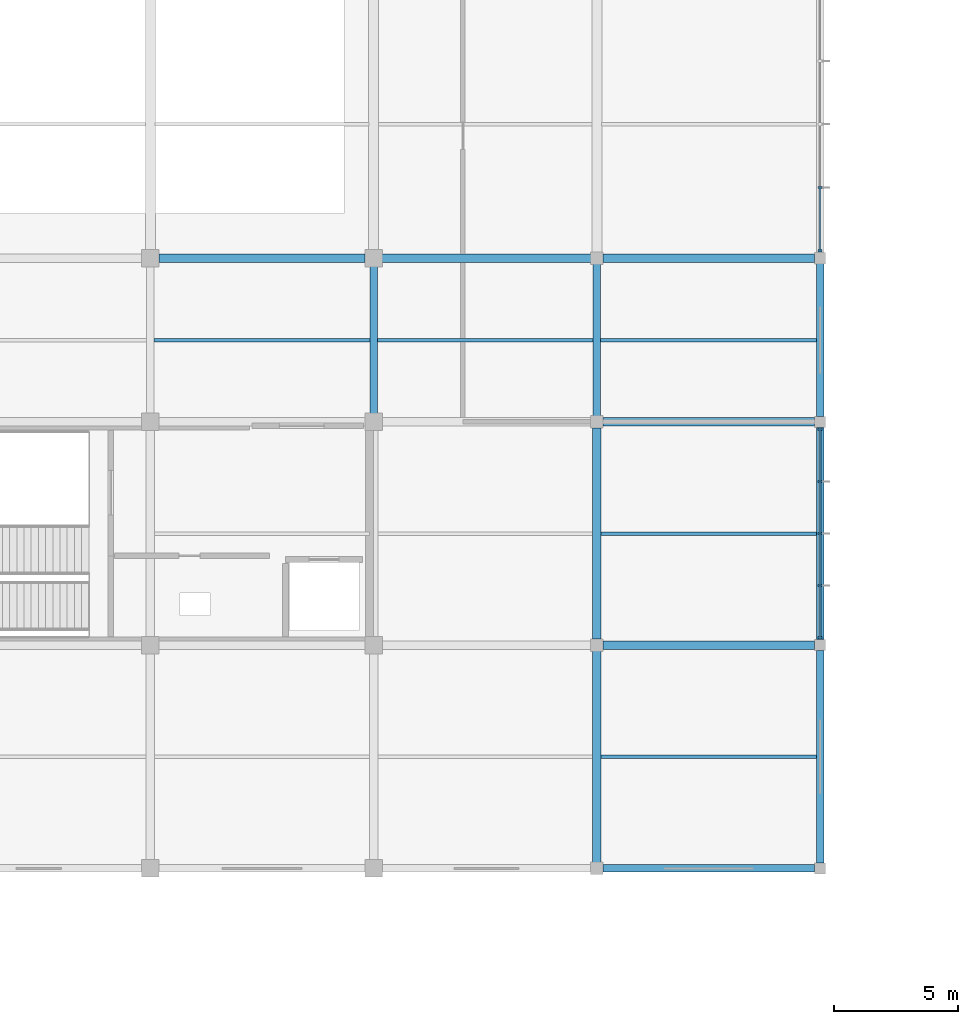
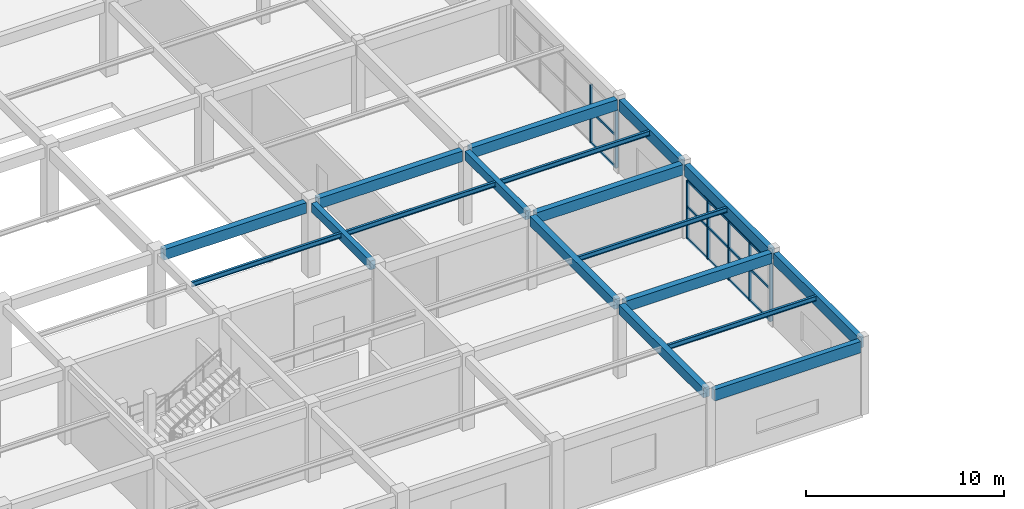
# One storey, part 14 of 74: 18 beams, 18 members, 2 elements without a shape of their own.
"""IFC4 building model written with IfcOpenShell, lengths in metres."""

from ifc_helpers import new_model, si_unit, direction, frame, origin, origin_2d, place, context, subcontext, project, spatial, rectangle, i_section, extrude, material, material_profile, profile_set, type_object, element, aggregate, save


model = new_model("IFC4")

# Units and contexts
model_context = context("Model", 3, precision=1e-05, world=origin(), true_north=direction((0.0, 1.0)))
body_context = subcontext(model_context, "Body", "Model", "MODEL_VIEW")
ifc_project = project(units=[si_unit("LENGTHUNIT", "METRE"), si_unit("AREAUNIT", "SQUARE_METRE"), si_unit("VOLUMEUNIT", "CUBIC_METRE"), si_unit("PLANEANGLEUNIT", "RADIAN"), si_unit("MASSUNIT", "GRAM", prefix="KILO")], contexts=[model_context])

# Site, building, storey
site_placement = place(None, origin())
site = spatial("IfcSite", under=ifc_project, at=site_placement, CompositionType="ELEMENT")
building_placement = place(site_placement, origin())
building = spatial("IfcBuilding", under=site, at=building_placement, Name="Suirenkawa Promenade Aquatics Centre", CompositionType="ELEMENT")
storey_placement = place(building_placement, frame((0.0, 0.0, 4.800048828125)))
storey = spatial("IfcBuildingStorey", under=building, at=storey_placement, Name="L01", CompositionType="ELEMENT", Elevation=4.800048828125)

# Beams
ifc_material_1 = material(Name="Steel IS 2062 E350 (Grade 350)", Category="steel")
ifc_material_profile_1 = material_profile(ifc_material_1, i_section(OverallWidth=0.139892578125, OverallDepth=0.300048828125, WebThickness=0.008056640625, FlangeThickness=0.012939453125, at=origin_2d()), Name="ISMB 300", Category="steel")
ifc_profile_set_1 = profile_set([ifc_material_profile_1], Name="Steel IS 2062 E350 (Grade 350)")
beam_type_1 = type_object("IfcBeamType", Name="BT-JOIST-ISMB300", PredefinedType="JOIST", material=ifc_profile_set_1)
for number, where, z_axis, x_axis, name in (
    (1, (18.14404296875, 25.5, 4.387939453125), (1.0, 0.0, 0.0), (0.0, 1.0, 0.0), "Secondary floor joist JS-02 BM-0544"),
    (2, (27.14404296875, 25.5, 4.387939453125), (1.0, 0.0, 0.0), (0.0, 1.0, 0.0), "Secondary floor joist JS-02 BM-0556"),
):
    element("IfcBeam", number, at=place(storey_placement, frame(where, z_axis=z_axis, x_axis=x_axis)), inside=storey, type_object=beam_type_1, Name=name, PredefinedType="JOIST", context=body_context, shape_type="SweptSolid", body=[
        extrude(i_section(OverallWidth=0.139892578125, OverallDepth=0.300048828125, WebThickness=0.008056640625, FlangeThickness=0.012939453125, at=origin_2d()), origin(), (0.0, 0.0, 1.0), 8.7119140625),
    ])
for number, where, z_axis, x_axis, name in (
    (3, (36.1689453125, 8.699951171875, 4.387939453125), (1.0, 0.0, 0.0), (0.0, 1.0, 0.0), "Secondary floor joist JS-02 BM-0566"),
    (4, (36.1689453125, 17.699951171875, 4.387939453125), (1.0, 0.0, 0.0), (0.0, 1.0, 0.0), "Secondary floor joist JS-02 BM-0567"),
):
    element("IfcBeam", number, at=place(storey_placement, frame(where, z_axis=z_axis, x_axis=x_axis)), inside=storey, type_object=beam_type_1, Name=name, PredefinedType="JOIST", context=body_context, shape_type="SweptSolid", body=[
        extrude(i_section(OverallWidth=0.139892578125, OverallDepth=0.300048828125, WebThickness=0.008056640625, FlangeThickness=0.012939453125, at=origin_2d()), origin(), (0.0, 0.0, 1.0), 8.68701171875),
    ])
beam_1_placement = place(storey_placement, frame((36.14404296875, 25.5, 4.387939453125), z_axis=(1.0, 0.0, 0.0), x_axis=(0.0, 1.0, 0.0)))
element("IfcBeam", 5, at=beam_1_placement, inside=storey, type_object=beam_type_1, Name="Secondary floor joist JS-02 BM-0568", PredefinedType="JOIST", context=body_context, shape_type="SweptSolid", body=[
    extrude(i_section(OverallWidth=0.139892578125, OverallDepth=0.300048828125, WebThickness=0.008056640625, FlangeThickness=0.012939453125, at=origin_2d()), origin(), (0.0, 0.0, 1.0), 8.7119140625),
])
ifc_material_2 = material(Name="Concrete M35", Category="concrete")
ifc_material_profile_2 = material_profile(ifc_material_2, rectangle(XDim=0.300048828125, YDim=0.550048828125, at=origin_2d()), Name="RC BM 300x550", Category="concrete")
ifc_profile_set_2 = profile_set([ifc_material_profile_2], Name="Concrete M35")
beam_type_2 = type_object("IfcBeamType", Name="BT-RC-300x550", PredefinedType="BEAM", material=ifc_profile_set_2)
beam_2_placement = place(storey_placement, frame((27.0, 22.5439453125, 4.264892578125), z_axis=(0.0, 1.0, 0.0), x_axis=(-1.0, 0.0, 0.0)))
element("IfcBeam", 6, at=beam_2_placement, inside=storey, type_object=beam_type_2, Name="Floor beam BM-01 BM-0488", PredefinedType="BEAM", context=body_context, shape_type="SweptSolid", body=[
    extrude(rectangle(XDim=0.300048828125, YDim=0.550048828125, at=origin_2d()), origin(), (0.0, 0.0, 1.0), 5.912109375),
])
beam_3_placement = place(storey_placement, frame((36.0, 22.444091796875, 4.264892578125), z_axis=(0.0, 1.0, 0.0), x_axis=(-1.0, 0.0, 0.0)))
element("IfcBeam", 7, at=beam_3_placement, inside=storey, type_object=beam_type_2, Name="Floor beam BM-01 BM-0500", PredefinedType="BEAM", context=body_context, shape_type="SweptSolid", body=[
    extrude(rectangle(XDim=0.300048828125, YDim=0.550048828125, at=origin_2d()), origin(), (0.0, 0.0, 1.0), 6.11181640625),
])
ifc_material_profile_3 = material_profile(ifc_material_2, rectangle(XDim=0.35009765625, YDim=0.60009765625, at=origin_2d()), Name="RC BM 350x600", Category="concrete")
ifc_profile_set_3 = profile_set([ifc_material_profile_3], Name="Concrete M35")
beam_type_3 = type_object("IfcBeamType", Name="BT-RC-350x600", PredefinedType="BEAM", material=ifc_profile_set_3)
for number, where, z_axis, x_axis, name in (
    (8, (36.0, 4.444091796875, 4.239990234375), (0.0, 1.0, 0.0), (-1.0, 0.0, 0.0), "Floor beam BM-02 BM-0498"),
    (9, (36.0, 13.444091796875, 4.239990234375), (0.0, 1.0, 0.0), (-1.0, 0.0, 0.0), "Floor beam BM-02 BM-0499"),
):
    element("IfcBeam", number, at=place(storey_placement, frame(where, z_axis=z_axis, x_axis=x_axis)), inside=storey, type_object=beam_type_3, Name=name, PredefinedType="BEAM", context=body_context, shape_type="SweptSolid", body=[
        extrude(rectangle(XDim=0.35009765625, YDim=0.60009765625, at=origin_2d()), origin(), (0.0, 0.0, 1.0), 8.511962890625),
    ])
ifc_material_profile_4 = material_profile(ifc_material_2, rectangle(XDim=0.35009765625, YDim=0.64990234375, at=origin_2d()), Name="RC BM 350x650", Category="concrete")
ifc_profile_set_4 = profile_set([ifc_material_profile_4], Name="Concrete M35")
beam_type_4 = type_object("IfcBeamType", Name="BT-RC-350x650", PredefinedType="BEAM", material=ifc_profile_set_4)
for number, where, z_axis, x_axis, name in (
    (10, (36.243896484375, 13.199951171875, 4.21484375), (1.0, 0.0, 0.0), (0.0, 1.0, 0.0), "Floor beam BM-03 BM-0395"),
    (11, (36.243896484375, 22.199951171875, 4.21484375), (1.0, 0.0, 0.0), (0.0, 1.0, 0.0), "Floor beam BM-03 BM-0400"),
):
    element("IfcBeam", number, at=place(storey_placement, frame(where, z_axis=z_axis, x_axis=x_axis)), inside=storey, type_object=beam_type_4, Name=name, PredefinedType="BEAM", context=body_context, shape_type="SweptSolid", body=[
        extrude(rectangle(XDim=0.35009765625, YDim=0.64990234375, at=origin_2d()), origin(), (0.0, 0.0, 1.0), 8.537109375),
    ])
beam_4_placement = place(storey_placement, frame((18.343994140625, 28.800048828125, 4.21484375), z_axis=(1.0, 0.0, 0.0), x_axis=(0.0, 1.0, 0.0)))
element("IfcBeam", 12, at=beam_4_placement, inside=storey, type_object=beam_type_4, Name="Floor beam BM-03 BM-0402", PredefinedType="BEAM", context=body_context, shape_type="SweptSolid", body=[
    extrude(rectangle(XDim=0.35009765625, YDim=0.64990234375, at=origin_2d()), origin(), (0.0, 0.0, 1.0), 8.31201171875),
])
beam_5_placement = place(storey_placement, frame((27.343994140625, 28.800048828125, 4.21484375), z_axis=(1.0, 0.0, 0.0), x_axis=(0.0, 1.0, 0.0)))
element("IfcBeam", 13, at=beam_5_placement, inside=storey, type_object=beam_type_4, Name="Floor beam BM-03 BM-0403", PredefinedType="BEAM", context=body_context, shape_type="SweptSolid", body=[
    extrude(rectangle(XDim=0.35009765625, YDim=0.64990234375, at=origin_2d()), origin(), (0.0, 0.0, 1.0), 8.412109375),
])
beam_6_placement = place(storey_placement, frame((36.243896484375, 28.800048828125, 4.21484375), z_axis=(1.0, 0.0, 0.0), x_axis=(0.0, 1.0, 0.0)))
element("IfcBeam", 14, at=beam_6_placement, inside=storey, type_object=beam_type_4, Name="Floor beam BM-03 BM-0404", PredefinedType="BEAM", context=body_context, shape_type="SweptSolid", body=[
    extrude(rectangle(XDim=0.35009765625, YDim=0.64990234375, at=origin_2d()), origin(), (0.0, 0.0, 1.0), 8.537109375),
])
ifc_material_3 = material(Name="Concrete M40", Category="concrete")
ifc_material_profile_5 = material_profile(ifc_material_3, rectangle(XDim=0.300048828125, YDim=0.699951171875, at=origin_2d()), Name="RC SPANDREL 300x700", Category="concrete")
ifc_profile_set_5 = profile_set([ifc_material_profile_5], Name="Concrete M40")
beam_type_5 = type_object("IfcBeamType", Name="BT-SPANDREL-300x700", PredefinedType="SPANDREL", material=ifc_profile_set_5)
beam_7_placement = place(storey_placement, frame((36.243896484375, 4.199951171875, 4.18994140625), z_axis=(1.0, 0.0, 0.0), x_axis=(0.0, 1.0, 0.0)))
element("IfcBeam", 15, at=beam_7_placement, inside=storey, type_object=beam_type_5, Name="Floor beam SP-01 BM-0390", PredefinedType="SPANDREL", context=body_context, shape_type="SweptSolid", body=[
    extrude(rectangle(XDim=0.300048828125, YDim=0.699951171875, at=origin_2d()), origin(), (0.0, 0.0, 1.0), 8.537109375),
])
for number, where, z_axis, x_axis, name in (
    (16, (45.0, 4.4189453125, 4.18994140625), (0.0, 1.0, 0.0), (-1.0, 0.0, 0.0), "Floor beam SP-01 BM-0510"),
    (17, (45.0, 13.4189453125, 4.18994140625), (0.0, 1.0, 0.0), (-1.0, 0.0, 0.0), "Floor beam SP-01 BM-0511"),
):
    element("IfcBeam", number, at=place(storey_placement, frame(where, z_axis=z_axis, x_axis=x_axis)), inside=storey, type_object=beam_type_5, Name=name, PredefinedType="SPANDREL", context=body_context, shape_type="SweptSolid", body=[
        extrude(rectangle(XDim=0.300048828125, YDim=0.699951171875, at=origin_2d()), origin(), (0.0, 0.0, 1.0), 8.56201171875),
    ])
beam_8_placement = place(storey_placement, frame((45.0, 22.4189453125, 4.18994140625), z_axis=(0.0, 1.0, 0.0), x_axis=(-1.0, 0.0, 0.0)))
element("IfcBeam", 18, at=beam_8_placement, inside=storey, type_object=beam_type_5, Name="Floor beam SP-01 BM-0512", PredefinedType="SPANDREL", context=body_context, shape_type="SweptSolid", body=[
    extrude(rectangle(XDim=0.300048828125, YDim=0.699951171875, at=origin_2d()), origin(), (0.0, 0.0, 1.0), 6.162109375),
])

# Curtain wall, members
ifc_material_4 = material(Name="Anodised aluminium 6063-T6", Category="aluminium")
curtain_wall_type_1 = type_object("IfcCurtainWallType", Name="CWAT-V5EL01-50", PredefinedType="NOTDEFINED", material=ifc_material_4)
curtain_wall_1_placement = place(storey_placement, origin())
curtain_wall_1 = element("IfcCurtainWall", 19, at=curtain_wall_1_placement, inside=storey, type_object=curtain_wall_type_1, Name="Curtain wall CWA-50 CW-097", PredefinedType="NOTDEFINED")
ifc_material_profile_6 = material_profile(ifc_material_4, rectangle(XDim=0.090087890625, YDim=0.159912109375, at=origin_2d()), Name="ALU MULL 90x160", Category="aluminium")
ifc_profile_set_6 = profile_set([ifc_material_profile_6], Name="Anodised aluminium 6063-T6")
member_type_1 = type_object("IfcMemberType", Name="CWM-160x90", PredefinedType="MULLION", material=ifc_profile_set_6)
member_1_placement = place(storey_placement, frame((45.0, 21.90087890625, 0.0), z_axis=(0.0, 0.0, 1.0), x_axis=(0.0, -1.0, 0.0)))
member_1 = element("IfcMember", 20, at=member_1_placement, type_object=member_type_1, Name="Mullion ML-03 CWM-01928", PredefinedType="MULLION", context=body_context, shape_type="SweptSolid", body=[
    extrude(rectangle(XDim=0.090087890625, YDim=0.159912109375, at=origin_2d()), origin(), (0.0, 0.0, 1.0), 3.570068359375),
])
member_2_placement = place(storey_placement, frame((45.0, 19.800537109375, 0.0), z_axis=(0.0, 0.0, 1.0), x_axis=(0.0, -1.0, 0.0)))
member_2 = element("IfcMember", 21, at=member_2_placement, type_object=member_type_1, Name="Mullion ML-03 CWM-01929", PredefinedType="MULLION", context=body_context, shape_type="SweptSolid", body=[
    extrude(rectangle(XDim=0.090087890625, YDim=0.159912109375, at=origin_2d()), origin(), (0.0, 0.0, 1.0), 3.570068359375),
])
member_3_placement = place(storey_placement, frame((45.0, 17.699951171875, 0.0), z_axis=(0.0, 0.0, 1.0), x_axis=(0.0, -1.0, 0.0)))
member_3 = element("IfcMember", 22, at=member_3_placement, type_object=member_type_1, Name="Mullion ML-03 CWM-01930", PredefinedType="MULLION", context=body_context, shape_type="SweptSolid", body=[
    extrude(rectangle(XDim=0.090087890625, YDim=0.159912109375, at=origin_2d()), origin(), (0.0, 0.0, 1.0), 3.570068359375),
])
member_4_placement = place(storey_placement, frame((45.0, 15.599609375, 0.0), z_axis=(0.0, 0.0, 1.0), x_axis=(0.0, -1.0, 0.0)))
member_4 = element("IfcMember", 23, at=member_4_placement, type_object=member_type_1, Name="Mullion ML-03 CWM-01931", PredefinedType="MULLION", context=body_context, shape_type="SweptSolid", body=[
    extrude(rectangle(XDim=0.090087890625, YDim=0.159912109375, at=origin_2d()), origin(), (0.0, 0.0, 1.0), 3.570068359375),
])
member_5_placement = place(storey_placement, frame((45.0, 13.4990234375, 0.0), z_axis=(0.0, 0.0, 1.0), x_axis=(0.0, -1.0, 0.0)))
member_5 = element("IfcMember", 24, at=member_5_placement, type_object=member_type_1, Name="Mullion ML-03 CWM-01932", PredefinedType="MULLION", context=body_context, shape_type="SweptSolid", body=[
    extrude(rectangle(XDim=0.090087890625, YDim=0.159912109375, at=origin_2d()), origin(), (0.0, 0.0, 1.0), 3.570068359375),
])

curtain_wall_type_2 = type_object("IfcCurtainWallType", Name="CWAT-V5EL01-53", PredefinedType="NOTDEFINED", material=ifc_material_4)
curtain_wall_2_placement = place(storey_placement, origin())
curtain_wall_2 = element("IfcCurtainWall", 25, at=curtain_wall_2_placement, inside=storey, type_object=curtain_wall_type_2, Name="Curtain wall CWA-53 CW-100", PredefinedType="NOTDEFINED")
member_6_placement = place(storey_placement, frame((45.0, 31.6494140625, 0.0), z_axis=(0.0, 0.0, 1.0), x_axis=(0.0, -1.0, 0.0)))
member_6 = element("IfcMember", 26, at=member_6_placement, type_object=member_type_1, Name="Mullion ML-03 CWM-01992", PredefinedType="MULLION", context=body_context, shape_type="SweptSolid", body=[
    extrude(rectangle(XDim=0.090087890625, YDim=0.159912109375, at=origin_2d()), origin(), (0.0, 0.0, 1.0), 3.570068359375),
])
member_7_placement = place(storey_placement, frame((45.0, 29.09912109375, 0.0), z_axis=(0.0, 0.0, 1.0), x_axis=(0.0, -1.0, 0.0)))
member_7 = element("IfcMember", 27, at=member_7_placement, type_object=member_type_1, Name="Mullion ML-03 CWM-01993", PredefinedType="MULLION", context=body_context, shape_type="SweptSolid", body=[
    extrude(rectangle(XDim=0.090087890625, YDim=0.159912109375, at=origin_2d()), origin(), (0.0, 0.0, 1.0), 3.570068359375),
])

# Member
ifc_material_profile_7 = material_profile(ifc_material_4, rectangle(XDim=0.090087890625, YDim=0.1298828125, at=origin_2d()), Name="ALU TRAN 90x130", Category="aluminium")
ifc_profile_set_7 = profile_set([ifc_material_profile_7], Name="Anodised aluminium 6063-T6")
member_type_2 = type_object("IfcMemberType", Name="CWT-130x90", PredefinedType="USERDEFINED", material=ifc_profile_set_7)
member_8_placement = place(storey_placement, frame((45.0, 21.90087890625, 0.0), z_axis=(0.0, -1.0, 0.0), x_axis=(1.0, 0.0, 0.0)))
member_8 = element("IfcMember", 28, at=member_8_placement, type_object=member_type_2, Name="Transom TR-03 CWT-01933", ObjectType="TRANSOM", PredefinedType="USERDEFINED", context=body_context, shape_type="SweptSolid", body=[
    extrude(rectangle(XDim=0.090087890625, YDim=0.1298828125, at=origin_2d()), origin(), (0.0, 0.0, 1.0), 2.100341796875),
])

member_9_placement = place(storey_placement, frame((45.0, 19.800537109375, 0.0), z_axis=(0.0, -1.0, 0.0), x_axis=(1.0, 0.0, 0.0)))
member_9 = element("IfcMember", 29, at=member_9_placement, type_object=member_type_2, Name="Transom TR-03 CWT-01934", ObjectType="TRANSOM", PredefinedType="USERDEFINED", context=body_context, shape_type="SweptSolid", body=[
    extrude(rectangle(XDim=0.090087890625, YDim=0.1298828125, at=origin_2d()), origin(), (0.0, 0.0, 1.0), 2.1005859375),
])

member_10_placement = place(storey_placement, frame((45.0, 17.699951171875, 0.0), z_axis=(0.0, -1.0, 0.0), x_axis=(1.0, 0.0, 0.0)))
member_10 = element("IfcMember", 30, at=member_10_placement, type_object=member_type_2, Name="Transom TR-03 CWT-01935", ObjectType="TRANSOM", PredefinedType="USERDEFINED", context=body_context, shape_type="SweptSolid", body=[
    extrude(rectangle(XDim=0.090087890625, YDim=0.1298828125, at=origin_2d()), origin(), (0.0, 0.0, 1.0), 2.100341796875),
])

member_11_placement = place(storey_placement, frame((45.0, 15.599609375, 0.0), z_axis=(0.0, -1.0, 0.0), x_axis=(1.0, 0.0, 0.0)))
member_11 = element("IfcMember", 31, at=member_11_placement, type_object=member_type_2, Name="Transom TR-03 CWT-01936", ObjectType="TRANSOM", PredefinedType="USERDEFINED", context=body_context, shape_type="SweptSolid", body=[
    extrude(rectangle(XDim=0.090087890625, YDim=0.1298828125, at=origin_2d()), origin(), (0.0, 0.0, 1.0), 2.1005859375),
])

member_12_placement = place(storey_placement, frame((45.0, 21.90087890625, 1.949951171875), z_axis=(0.0, -1.0, 0.0), x_axis=(1.0, 0.0, 0.0)))
member_12 = element("IfcMember", 32, at=member_12_placement, type_object=member_type_2, Name="Transom TR-03 CWT-01937", ObjectType="TRANSOM", PredefinedType="USERDEFINED", context=body_context, shape_type="SweptSolid", body=[
    extrude(rectangle(XDim=0.090087890625, YDim=0.1298828125, at=origin_2d()), origin(), (0.0, 0.0, 1.0), 2.100341796875),
])

member_13_placement = place(storey_placement, frame((45.0, 19.800537109375, 1.949951171875), z_axis=(0.0, -1.0, 0.0), x_axis=(1.0, 0.0, 0.0)))
member_13 = element("IfcMember", 33, at=member_13_placement, type_object=member_type_2, Name="Transom TR-03 CWT-01938", ObjectType="TRANSOM", PredefinedType="USERDEFINED", context=body_context, shape_type="SweptSolid", body=[
    extrude(rectangle(XDim=0.090087890625, YDim=0.1298828125, at=origin_2d()), origin(), (0.0, 0.0, 1.0), 2.1005859375),
])

member_14_placement = place(storey_placement, frame((45.0, 17.699951171875, 1.949951171875), z_axis=(0.0, -1.0, 0.0), x_axis=(1.0, 0.0, 0.0)))
member_14 = element("IfcMember", 34, at=member_14_placement, type_object=member_type_2, Name="Transom TR-03 CWT-01939", ObjectType="TRANSOM", PredefinedType="USERDEFINED", context=body_context, shape_type="SweptSolid", body=[
    extrude(rectangle(XDim=0.090087890625, YDim=0.1298828125, at=origin_2d()), origin(), (0.0, 0.0, 1.0), 2.100341796875),
])

member_15_placement = place(storey_placement, frame((45.0, 15.599609375, 1.949951171875), z_axis=(0.0, -1.0, 0.0), x_axis=(1.0, 0.0, 0.0)))
member_15 = element("IfcMember", 35, at=member_15_placement, type_object=member_type_2, Name="Transom TR-03 CWT-01940", ObjectType="TRANSOM", PredefinedType="USERDEFINED", context=body_context, shape_type="SweptSolid", body=[
    extrude(rectangle(XDim=0.090087890625, YDim=0.1298828125, at=origin_2d()), origin(), (0.0, 0.0, 1.0), 2.1005859375),
])

member_16_placement = place(storey_placement, frame((45.0, 21.90087890625, 3.570068359375), z_axis=(0.0, -1.0, 0.0), x_axis=(1.0, 0.0, 0.0)))
member_16 = element("IfcMember", 36, at=member_16_placement, type_object=member_type_2, Name="Roofline transom TR-03 CWT-01941", ObjectType="TRANSOM", PredefinedType="USERDEFINED", context=body_context, shape_type="SweptSolid", body=[
    extrude(rectangle(XDim=0.090087890625, YDim=0.1298828125, at=origin_2d()), origin(), (0.0, 0.0, 1.0), 8.40185546875),
])

aggregate(curtain_wall_1, [member_1, member_2, member_3, member_4, member_5, member_8, member_9, member_10, member_11, member_12, member_13, member_14, member_15, member_16])

member_17_placement = place(storey_placement, frame((45.0, 31.6494140625, 0.0), z_axis=(0.0, -1.0, 0.0), x_axis=(1.0, 0.0, 0.0)))
member_17 = element("IfcMember", 37, at=member_17_placement, type_object=member_type_2, Name="Transom TR-03 CWT-01997", ObjectType="TRANSOM", PredefinedType="USERDEFINED", context=body_context, shape_type="SweptSolid", body=[
    extrude(rectangle(XDim=0.090087890625, YDim=0.1298828125, at=origin_2d()), origin(), (0.0, 0.0, 1.0), 2.55029296875),
])

member_18_placement = place(storey_placement, frame((45.0, 31.6494140625, 1.949951171875), z_axis=(0.0, -1.0, 0.0), x_axis=(1.0, 0.0, 0.0)))
member_18 = element("IfcMember", 38, at=member_18_placement, type_object=member_type_2, Name="Transom TR-03 CWT-02001", ObjectType="TRANSOM", PredefinedType="USERDEFINED", context=body_context, shape_type="SweptSolid", body=[
    extrude(rectangle(XDim=0.090087890625, YDim=0.1298828125, at=origin_2d()), origin(), (0.0, 0.0, 1.0), 2.55029296875),
])

aggregate(curtain_wall_2, [member_6, member_7, member_17, member_18])

save(model, "model.ifc")
